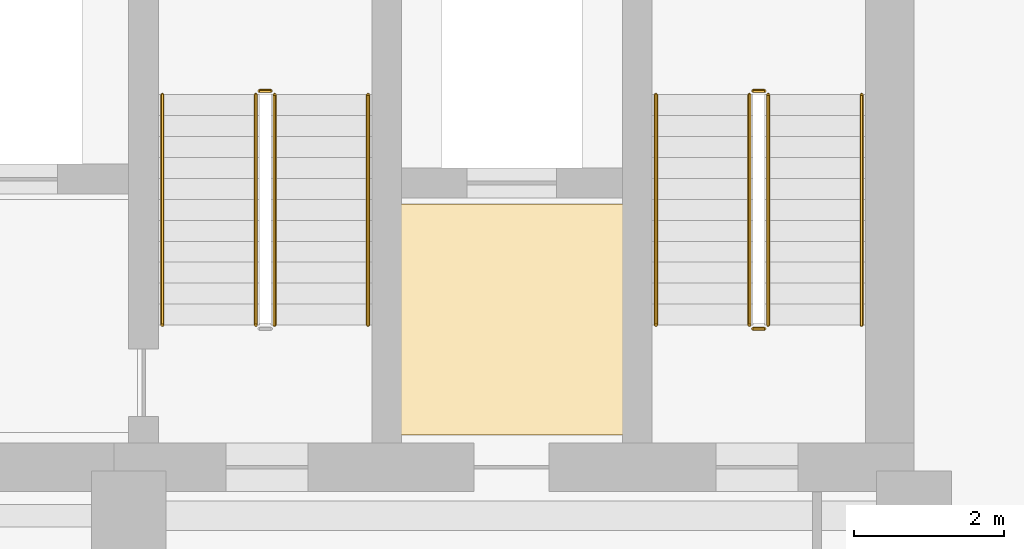
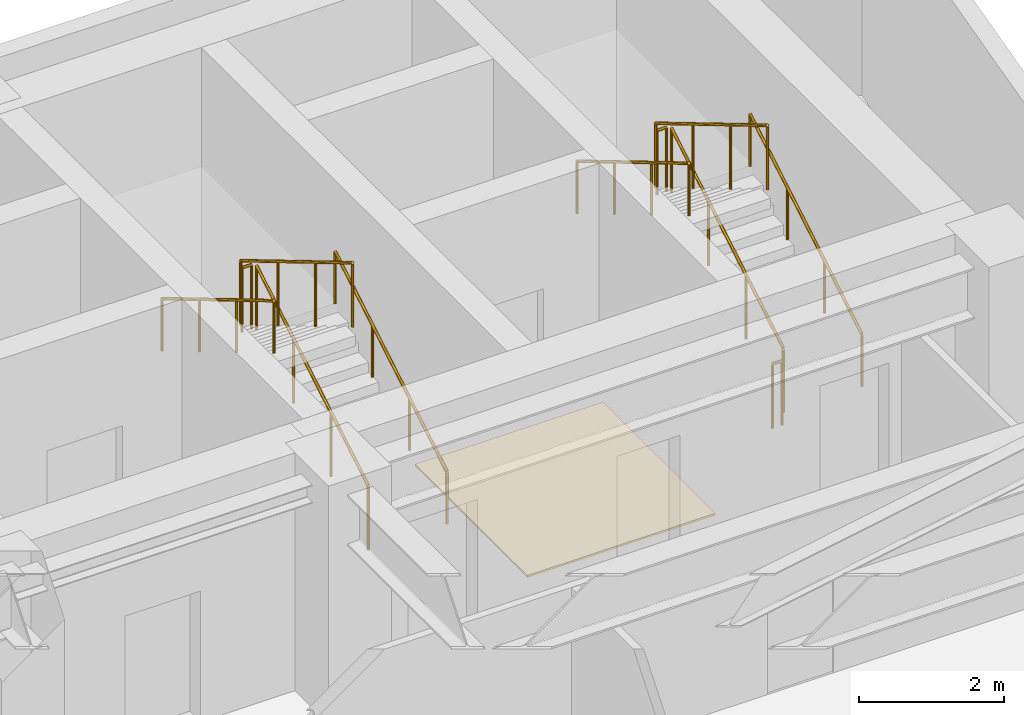
# One storey, part 24 of 24: 11 railings, 1 covering.
"""IFC4 building model written with IfcOpenShell, lengths in metres."""

from ifc_helpers import new_model, si_unit, direction, frame, origin, origin_2d, place, context, subcontext, project, spatial, polyline, circle, outline, extrude, material, layer, layer_set, type_object, element, save


model = new_model("IFC4")

# Units and contexts
model_context = context("Model", 3, precision=1e-05, world=origin(), true_north=direction((0.0, 1.0)))
body_context = subcontext(model_context, "Body", "Model", "MODEL_VIEW")
ifc_project = project(units=[si_unit("LENGTHUNIT", "METRE"), si_unit("AREAUNIT", "SQUARE_METRE"), si_unit("VOLUMEUNIT", "CUBIC_METRE"), si_unit("PLANEANGLEUNIT", "RADIAN"), si_unit("MASSUNIT", "GRAM", prefix="KILO")], contexts=[model_context])

# Site, building, storey
site_placement = place(None, origin())
site = spatial("IfcSite", under=ifc_project, at=site_placement, CompositionType="ELEMENT")
building_placement = place(site_placement, origin())
building = spatial("IfcBuilding", under=site, at=building_placement, Name="Kravanh Interchange Tower", CompositionType="ELEMENT")
storey_placement = place(building_placement, frame((0.0, 0.0, 96.0)))
storey = spatial("IfcBuildingStorey", under=building, at=storey_placement, Name="L22", CompositionType="ELEMENT", Elevation=96.0)

# Covering
ifc_material_1 = material(Name="Cementitious Terrazzo Tile")
ifc_layer_1 = layer(ifc_material_1, 0.030029296875)
ifc_layer_set_1 = layer_set([ifc_layer_1], Name="Honed Terrazzo Lobby Flooring 30mm")
covering_type = type_object("IfcCoveringType", Name="Honed Terrazzo Lobby Flooring 30mm", PredefinedType="FLOORING", material=ifc_layer_set_1)
covering_placement = place(storey_placement, origin())
element("IfcCovering", 1, at=covering_placement, inside=storey, type_object=covering_type, Name="L22 Service Lift Lobby Floor Finish", PredefinedType="FLOORING", context=body_context, shape_type="SweptSolid", body=[
    extrude(outline(polyline([(59.6298828125, 41.52001953125), (62.6201171875, 41.52001953125), (62.6201171875, 38.429931640625), (59.6298828125, 38.429931640625), (59.6298828125, 41.52001953125)])), origin(), (0.0, 0.0, 1.0), 0.030029296875),
])

# Railings
ifc_material_2 = material(Name="Structural Steel S355", Category="steel")
ifc_layer_2 = layer(ifc_material_2, 0.050048828125)
ifc_layer_set_2 = layer_set([ifc_layer_2], Name="Stair Well Guardrail Structural Steel S355 1100mm")
railing_type_1 = type_object("IfcRailingType", Name="Stair Well Guardrail Structural Steel S355 1100mm", PredefinedType="GUARDRAIL", material=ifc_layer_set_2)
railing_1_placement = place(storey_placement, frame((64.550048828125, 39.89990234375, 0.166748046875)))
element("IfcRailing", 2, at=railing_1_placement, inside=storey, type_object=railing_type_1, Name="L22 ST1 stair guard 1", PredefinedType="GUARDRAIL", context=body_context, shape_type="SweptSolid", body=[
    extrude(circle(Radius=0.02392578125, at=origin_2d()), frame((0.0, 0.0, 1.076171875), z_axis=(0.0, 0.859308565015, 0.511457515432), x_axis=(-1.0, 0.0, 0.0)), (0.0, 0.0, 1.0), 3.58447265625),
    extrude(circle(Radius=0.02099609375, at=origin_2d()), origin(), (0.0, 0.0, 1.0), 1.052001953125),
    extrude(circle(Radius=0.02099609375, at=origin_2d()), frame((0.0, 1.026611328125, 0.611083984375)), (0.0, 0.0, 1.0), 1.052001953125),
    extrude(circle(Radius=0.02099609375, at=origin_2d()), frame((0.0, 2.053466796875, 1.22216796875)), (0.0, 0.0, 1.0), 1.052001953125),
    extrude(circle(Radius=0.02099609375, at=origin_2d()), frame((0.0, 3.080078125, 1.833251953125)), (0.0, 0.0, 1.0), 1.052001953125),
])
railing_2_placement = place(storey_placement, frame((64.5, 43.030029296875, 2.0)))
element("IfcRailing", 3, at=railing_2_placement, inside=storey, type_object=railing_type_1, Name="L22 ST1 stair guard 2", PredefinedType="GUARDRAIL", context=body_context, shape_type="SweptSolid", body=[
    extrude(circle(Radius=0.02392578125, at=origin_2d()), frame((0.0, 0.0, 1.076171875), z_axis=(-1.0, 0.0, 0.0), x_axis=(0.0, -1.0, 0.0)), (0.0, 0.0, 1.0), 0.14990234375),
    extrude(circle(Radius=0.02099609375, at=origin_2d()), origin(), (0.0, 0.0, 1.0), 1.052001953125),
    extrude(circle(Radius=0.02099609375, at=origin_2d()), frame((-0.14990234375, 0.0, 0.0)), (0.0, 0.0, 1.0), 1.052001953125),
])
railing_3_placement = place(storey_placement, frame((64.300048828125, 42.97998046875, 2.166748046875)))
element("IfcRailing", 4, at=railing_3_placement, inside=storey, type_object=railing_type_1, Name="L22 ST1 stair guard 3", PredefinedType="GUARDRAIL", context=body_context, shape_type="SweptSolid", body=[
    extrude(circle(Radius=0.02392578125, at=origin_2d()), frame((0.0, 0.0, 1.076171875), z_axis=(0.0, -0.859308565015, 0.511457515432), x_axis=(1.0, 0.0, 0.0)), (0.0, 0.0, 1.0), 3.58447265625),
    extrude(circle(Radius=0.02099609375, at=origin_2d()), origin(), (0.0, 0.0, 1.0), 1.052001953125),
    extrude(circle(Radius=0.02099609375, at=origin_2d()), frame((0.0, -1.026611328125, 0.611083984375)), (0.0, 0.0, 1.0), 1.052001953125),
    extrude(circle(Radius=0.02099609375, at=origin_2d()), frame((0.0, -2.053466796875, 1.22216796875)), (0.0, 0.0, 1.0), 1.052001953125),
    extrude(circle(Radius=0.02099609375, at=origin_2d()), frame((0.0, -3.080078125, 1.833251953125)), (0.0, 0.0, 1.0), 1.052001953125),
])
railing_4_placement = place(storey_placement, frame((64.5, 39.85009765625, 0.0)))
element("IfcRailing", 5, at=railing_4_placement, inside=storey, type_object=railing_type_1, Name="L22 ST1 stair guard 4", PredefinedType="GUARDRAIL", context=body_context, shape_type="SweptSolid", body=[
    extrude(circle(Radius=0.02392578125, at=origin_2d()), frame((0.0, 0.0, 1.076171875), z_axis=(-1.0, 0.0, 0.0), x_axis=(0.0, -1.0, 0.0)), (0.0, 0.0, 1.0), 0.14990234375),
    extrude(circle(Radius=0.02099609375, at=origin_2d()), origin(), (0.0, 0.0, 1.0), 1.052001953125),
    extrude(circle(Radius=0.02099609375, at=origin_2d()), frame((-0.14990234375, 0.0, 0.0)), (0.0, 0.0, 1.0), 1.052001953125),
])
railing_5_placement = place(storey_placement, frame((57.949951171875, 39.89990234375, 0.166748046875)))
element("IfcRailing", 6, at=railing_5_placement, inside=storey, type_object=railing_type_1, Name="L22 ST2 stair guard 1", PredefinedType="GUARDRAIL", context=body_context, shape_type="SweptSolid", body=[
    extrude(circle(Radius=0.02392578125, at=origin_2d()), frame((0.0, 0.0, 1.076171875), z_axis=(0.0, 0.859308565015, 0.511457515432), x_axis=(-1.0, 0.0, 0.0)), (0.0, 0.0, 1.0), 3.58447265625),
    extrude(circle(Radius=0.02099609375, at=origin_2d()), origin(), (0.0, 0.0, 1.0), 1.052001953125),
    extrude(circle(Radius=0.02099609375, at=origin_2d()), frame((0.0, 1.026611328125, 0.611083984375)), (0.0, 0.0, 1.0), 1.052001953125),
    extrude(circle(Radius=0.02099609375, at=origin_2d()), frame((0.0, 2.053466796875, 1.22216796875)), (0.0, 0.0, 1.0), 1.052001953125),
    extrude(circle(Radius=0.02099609375, at=origin_2d()), frame((0.0, 3.080078125, 1.833251953125)), (0.0, 0.0, 1.0), 1.052001953125),
])
railing_6_placement = place(storey_placement, frame((57.89990234375, 43.030029296875, 2.0)))
element("IfcRailing", 7, at=railing_6_placement, inside=storey, type_object=railing_type_1, Name="L22 ST2 stair guard 2", PredefinedType="GUARDRAIL", context=body_context, shape_type="SweptSolid", body=[
    extrude(circle(Radius=0.02392578125, at=origin_2d()), frame((0.0, 0.0, 1.076171875), z_axis=(-1.0, 0.0, 0.0), x_axis=(0.0, -1.0, 0.0)), (0.0, 0.0, 1.0), 0.14990234375),
    extrude(circle(Radius=0.02099609375, at=origin_2d()), origin(), (0.0, 0.0, 1.0), 1.052001953125),
    extrude(circle(Radius=0.02099609375, at=origin_2d()), frame((-0.14990234375, 0.0, 0.0)), (0.0, 0.0, 1.0), 1.052001953125),
])
railing_7_placement = place(storey_placement, frame((57.699951171875, 42.97998046875, 2.166748046875)))
element("IfcRailing", 8, at=railing_7_placement, inside=storey, type_object=railing_type_1, Name="L22 ST2 stair guard 3", PredefinedType="GUARDRAIL", context=body_context, shape_type="SweptSolid", body=[
    extrude(circle(Radius=0.02392578125, at=origin_2d()), frame((0.0, 0.0, 1.076171875), z_axis=(0.0, -0.859308565015, 0.511457515432), x_axis=(1.0, 0.0, 0.0)), (0.0, 0.0, 1.0), 3.58447265625),
    extrude(circle(Radius=0.02099609375, at=origin_2d()), origin(), (0.0, 0.0, 1.0), 1.052001953125),
    extrude(circle(Radius=0.02099609375, at=origin_2d()), frame((0.0, -1.026611328125, 0.611083984375)), (0.0, 0.0, 1.0), 1.052001953125),
    extrude(circle(Radius=0.02099609375, at=origin_2d()), frame((0.0, -2.053466796875, 1.22216796875)), (0.0, 0.0, 1.0), 1.052001953125),
    extrude(circle(Radius=0.02099609375, at=origin_2d()), frame((0.0, -3.080078125, 1.833251953125)), (0.0, 0.0, 1.0), 1.052001953125),
])
ifc_material_3 = material(Name="Stainless Steel 304", Category="steel")
ifc_layer_3 = layer(ifc_material_3, 0.044921875)
ifc_layer_set_3 = layer_set([ifc_layer_3], Name="Tubular Stair Handrail Stainless 304 900mm")
railing_type_2 = type_object("IfcRailingType", Name="Tubular Stair Handrail Stainless 304 900mm", PredefinedType="HANDRAIL", material=ifc_layer_set_3)
railing_8_placement = place(storey_placement, frame((65.800048828125, 39.89990234375, 0.166748046875)))
element("IfcRailing", 9, at=railing_8_placement, inside=storey, type_object=railing_type_2, Name="L22 ST1 stair handrail 1", PredefinedType="HANDRAIL", context=body_context, shape_type="SweptSolid", body=[
    extrude(circle(Radius=0.02392578125, at=origin_2d()), frame((0.0, 0.0, 0.8759765625), z_axis=(0.0, 0.859308565015, 0.511457515432), x_axis=(-1.0, 0.0, 0.0)), (0.0, 0.0, 1.0), 3.58447265625),
    extrude(circle(Radius=0.02099609375, at=origin_2d()), origin(), (0.0, 0.0, 1.0), 0.851806640625),
    extrude(circle(Radius=0.02099609375, at=origin_2d()), frame((0.0, 1.026611328125, 0.611083984375)), (0.0, 0.0, 1.0), 0.851806640625),
    extrude(circle(Radius=0.02099609375, at=origin_2d()), frame((0.0, 2.053466796875, 1.22216796875)), (0.0, 0.0, 1.0), 0.851806640625),
    extrude(circle(Radius=0.02099609375, at=origin_2d()), frame((0.0, 3.080078125, 1.833251953125)), (0.0, 0.0, 1.0), 0.851806640625),
])
railing_9_placement = place(storey_placement, frame((63.050048828125, 42.97998046875, 2.166748046875)))
element("IfcRailing", 10, at=railing_9_placement, inside=storey, type_object=railing_type_2, Name="L22 ST1 stair handrail 2", PredefinedType="HANDRAIL", context=body_context, shape_type="SweptSolid", body=[
    extrude(circle(Radius=0.02392578125, at=origin_2d()), frame((0.0, 0.0, 0.8759765625), z_axis=(0.0, -0.859308565015, 0.511457515432), x_axis=(1.0, 0.0, 0.0)), (0.0, 0.0, 1.0), 3.58447265625),
    extrude(circle(Radius=0.02099609375, at=origin_2d()), origin(), (0.0, 0.0, 1.0), 0.851806640625),
    extrude(circle(Radius=0.02099609375, at=origin_2d()), frame((0.0, -1.026611328125, 0.611083984375)), (0.0, 0.0, 1.0), 0.851806640625),
    extrude(circle(Radius=0.02099609375, at=origin_2d()), frame((0.0, -2.053466796875, 1.22216796875)), (0.0, 0.0, 1.0), 0.851806640625),
    extrude(circle(Radius=0.02099609375, at=origin_2d()), frame((0.0, -3.080078125, 1.833251953125)), (0.0, 0.0, 1.0), 0.851806640625),
])
railing_10_placement = place(storey_placement, frame((59.199951171875, 39.89990234375, 0.166748046875)))
element("IfcRailing", 11, at=railing_10_placement, inside=storey, type_object=railing_type_2, Name="L22 ST2 stair handrail 1", PredefinedType="HANDRAIL", context=body_context, shape_type="SweptSolid", body=[
    extrude(circle(Radius=0.02392578125, at=origin_2d()), frame((0.0, 0.0, 0.8759765625), z_axis=(0.0, 0.859308565015, 0.511457515432), x_axis=(-1.0, 0.0, 0.0)), (0.0, 0.0, 1.0), 3.58447265625),
    extrude(circle(Radius=0.02099609375, at=origin_2d()), origin(), (0.0, 0.0, 1.0), 0.851806640625),
    extrude(circle(Radius=0.02099609375, at=origin_2d()), frame((0.0, 1.026611328125, 0.611083984375)), (0.0, 0.0, 1.0), 0.851806640625),
    extrude(circle(Radius=0.02099609375, at=origin_2d()), frame((0.0, 2.053466796875, 1.22216796875)), (0.0, 0.0, 1.0), 0.851806640625),
    extrude(circle(Radius=0.02099609375, at=origin_2d()), frame((0.0, 3.080078125, 1.833251953125)), (0.0, 0.0, 1.0), 0.851806640625),
])
railing_11_placement = place(storey_placement, frame((56.449951171875, 42.97998046875, 2.166748046875)))
element("IfcRailing", 12, at=railing_11_placement, inside=storey, type_object=railing_type_2, Name="L22 ST2 stair handrail 2", PredefinedType="HANDRAIL", context=body_context, shape_type="SweptSolid", body=[
    extrude(circle(Radius=0.02392578125, at=origin_2d()), frame((0.0, 0.0, 0.8759765625), z_axis=(0.0, -0.859308565015, 0.511457515432), x_axis=(1.0, 0.0, 0.0)), (0.0, 0.0, 1.0), 3.58447265625),
    extrude(circle(Radius=0.02099609375, at=origin_2d()), origin(), (0.0, 0.0, 1.0), 0.851806640625),
    extrude(circle(Radius=0.02099609375, at=origin_2d()), frame((0.0, -1.026611328125, 0.611083984375)), (0.0, 0.0, 1.0), 0.851806640625),
    extrude(circle(Radius=0.02099609375, at=origin_2d()), frame((0.0, -2.053466796875, 1.22216796875)), (0.0, 0.0, 1.0), 0.851806640625),
    extrude(circle(Radius=0.02099609375, at=origin_2d()), frame((0.0, -3.080078125, 1.833251953125)), (0.0, 0.0, 1.0), 0.851806640625),
])

save(model, "model.ifc")
